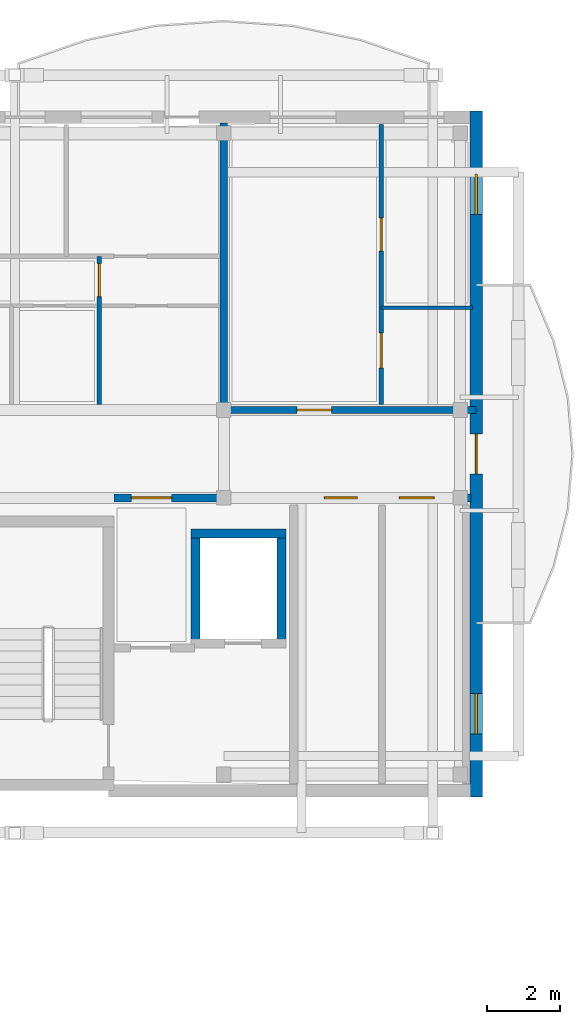
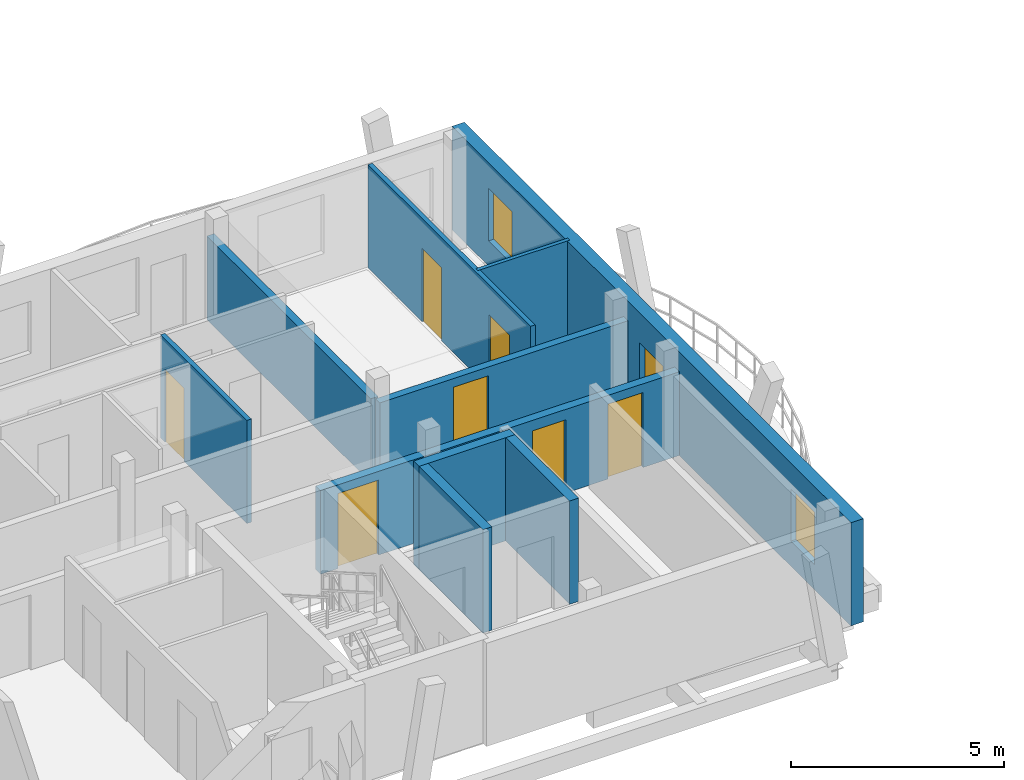
# One storey, part 22 of 41: 10 walls, 8 doors, 2 windows, 10 openings.
"""IFC4 building model written with IfcOpenShell, lengths in metres."""

from ifc_helpers import new_model, si_unit, direction, frame, frame_2d, origin, origin_with_axes, place, context, subcontext, project, spatial, rectangle, extrude, material, layer, layer_set, type_object, element, fill, save


model = new_model("IFC4")

# Units and contexts
model_context = context("Model", 3, precision=1e-05, world=origin(), true_north=direction((0.0, 1.0)))
body_context = subcontext(model_context, "Body", "Model", "MODEL_VIEW")
ifc_project = project(units=[si_unit("LENGTHUNIT", "METRE"), si_unit("AREAUNIT", "SQUARE_METRE"), si_unit("VOLUMEUNIT", "CUBIC_METRE"), si_unit("PLANEANGLEUNIT", "RADIAN"), si_unit("MASSUNIT", "GRAM", prefix="KILO")], contexts=[model_context])

# Site, building, storey
site_placement = place(None, origin())
site = spatial("IfcSite", under=ifc_project, at=site_placement, CompositionType="ELEMENT")
building_placement = place(site_placement, origin())
building = spatial("IfcBuilding", under=site, at=building_placement, Name="Zavelmont Quarter", CompositionType="ELEMENT")
storey_placement = place(building_placement, frame((0.0, 0.0, 27.199951171875)))
storey = spatial("IfcBuildingStorey", under=building, at=storey_placement, Name="L08", CompositionType="ELEMENT", Elevation=27.199951171875)

# Wall, openings, door, windows
ifc_material_1 = material(Name="Natural Belgian limestone", Category="masonry")
ifc_layer_1 = layer(ifc_material_1, 0.340087890625)
ifc_layer_set_1 = layer_set([ifc_layer_1], Name="Natural Belgian limestone")
wall_type_1 = type_object("IfcWallType", Name="EW03", PredefinedType="STANDARD", material=ifc_layer_set_1)
wall_1_placement = place(storey_placement, frame((41.39990234375, 97.429931640625, 0.0), z_axis=(0.0, 0.0, 1.0), x_axis=(0.0, 1.0, 0.0)))
wall_1 = element("IfcWall", 1, at=wall_1_placement, inside=storey, type_object=wall_type_1, Name="L08 exterior limestone wall EW03", PredefinedType="STANDARD", context=body_context, shape_type="SweptSolid", body=[
    extrude(rectangle(XDim=18.739990234375, YDim=0.340087890625, at=frame_2d((9.3701171875, 0.0))), origin(), (0.0, 0.0, 1.0), 2.9599609375),
])
opening_1_placement = place(wall_1_placement, frame((8.820068359375, 0.0, 0.0)))
opening_1 = element("IfcOpeningElement", 2, at=opening_1_placement, cuts=wall_1, Name="Opening DR04B", PredefinedType="OPENING", context=body_context, shape_type="SweptSolid", body=[
    extrude(rectangle(XDim=1.10009765625, YDim=2.10009765625, at=frame_2d((0.550048828125, 1.050048828125))), frame((0.0, 0.18212890625, 0.0), z_axis=(0.0, -1.0, 0.0), x_axis=(1.0, 0.0, 0.0)), (0.0, 0.0, 1.0), 0.364013671875),
])
opening_2_placement = place(wall_1_placement, frame((1.719970703125, 0.0, 0.719970703125)))
opening_2 = element("IfcOpeningElement", 3, at=opening_2_placement, cuts=wall_1, Name="Opening WN09", PredefinedType="OPENING", context=body_context, shape_type="SweptSolid", body=[
    extrude(rectangle(XDim=1.10009765625, YDim=1.5, at=frame_2d((0.550048828125, 0.75))), frame((0.0, 0.18212890625, 0.0), z_axis=(0.0, -1.0, 0.0), x_axis=(1.0, 0.0, 0.0)), (0.0, 0.0, 1.0), 0.364013671875),
])
opening_3_placement = place(wall_1_placement, frame((15.919921875, 0.0, 0.719970703125)))
opening_3 = element("IfcOpeningElement", 4, at=opening_3_placement, cuts=wall_1, Name="Opening WN09", PredefinedType="OPENING", context=body_context, shape_type="SweptSolid", body=[
    extrude(rectangle(XDim=1.10009765625, YDim=1.5, at=frame_2d((0.550048828125, 0.75))), frame((0.0, 0.18212890625, 0.0), z_axis=(0.0, -1.0, 0.0), x_axis=(1.0, 0.0, 0.0)), (0.0, 0.0, 1.0), 0.364013671875),
])
ifc_material_2 = material(Name="Thermally broken aluminium and double safety glass", Category="aluminium")
door_type_1 = type_object("IfcDoorType", Name="DR04B", OperationType="NOTDEFINED", PredefinedType="DOOR", material=ifc_material_2)
door_1_placement = place(opening_1_placement, origin_with_axes())
door_1 = element("IfcDoor", 5, at=door_1_placement, inside=storey, type_object=door_type_1, Name="Block B L08 terrace or vase balcony door", OperationType="SINGLE_SWING_LEFT", OverallHeight=2.10009765625, OverallWidth=1.10009765625, PredefinedType="DOOR", context=body_context, shape_type="SweptSolid", body=[
    extrude(rectangle(XDim=1.10009765625, YDim=2.10009765625, at=frame_2d((0.550048828125, 1.050048828125))), frame((0.0, 0.02490234375, 0.0), z_axis=(0.0, -1.0, 0.0), x_axis=(1.0, 0.0, 0.0)), (0.0, 0.0, 1.0), 0.050048828125),
])
fill(opening_1, door_1)
ifc_material_3 = material(Name="Double low-E insulated glazing in thermally broken aluminium frame", Category="aluminium")
window_type = type_object("IfcWindowType", Name="WN09", PartitioningType="SINGLE_PANEL", PredefinedType="WINDOW", material=ifc_material_3)
window_1_placement = place(opening_2_placement, origin_with_axes())
window_1 = element("IfcWindow", 6, at=window_1_placement, inside=storey, type_object=window_type, Name="L08 window WN09", OverallHeight=1.5, OverallWidth=1.10009765625, PartitioningType="SINGLE_PANEL", PredefinedType="WINDOW", context=body_context, shape_type="SweptSolid", body=[
    extrude(rectangle(XDim=1.10009765625, YDim=1.5, at=frame_2d((0.550048828125, 0.75))), frame((0.0, 0.030029296875, 0.0), z_axis=(0.0, -1.0, 0.0), x_axis=(1.0, 0.0, 0.0)), (0.0, 0.0, 1.0), 0.06005859375),
])
fill(opening_2, window_1)
window_2_placement = place(opening_3_placement, origin_with_axes())
window_2 = element("IfcWindow", 7, at=window_2_placement, inside=storey, type_object=window_type, Name="L08 window WN09", OverallHeight=1.5, OverallWidth=1.10009765625, PartitioningType="SINGLE_PANEL", PredefinedType="WINDOW", context=body_context, shape_type="SweptSolid", body=[
    extrude(rectangle(XDim=1.10009765625, YDim=1.5, at=frame_2d((0.550048828125, 0.75))), frame((0.0, 0.030029296875, 0.0), z_axis=(0.0, -1.0, 0.0), x_axis=(1.0, 0.0, 0.0)), (0.0, 0.0, 1.0), 0.06005859375),
])
fill(opening_3, window_2)

# Wall
ifc_material_4 = material(Name="Calcium-silicate blockwork and acoustic plaster", Category="masonry")
ifc_layer_2 = layer(ifc_material_4, 0.199951171875)
ifc_layer_set_2 = layer_set([ifc_layer_2], Name="Calcium-silicate blockwork and acoustic plaster")
wall_type_2 = type_object("IfcWallType", Name="IW01", PredefinedType="PARTITIONING", material=ifc_layer_set_2)
wall_2_placement = place(storey_placement, frame((34.5, 108.14990234375, 0.0), z_axis=(0.0, 0.0, 1.0), x_axis=(0.0, 1.0, 0.0)))
element("IfcWall", 8, at=wall_2_placement, inside=storey, type_object=wall_type_2, Name="L08 Inter-dwelling compartment wall IW01", PredefinedType="PARTITIONING", context=body_context, shape_type="SweptSolid", body=[
    extrude(rectangle(XDim=7.7001953125, YDim=0.199951171875, at=frame_2d((3.85009765625, 0.0))), origin(), (0.0, 0.0, 1.0), 2.400146484375),
])

# Wall, opening, door
wall_3_placement = place(storey_placement, frame((34.5, 108.0, 0.0), z_axis=(0.0, 0.0, 1.0), x_axis=(1.0, 0.0, 0.0)))
wall_3 = element("IfcWall", 9, at=wall_3_placement, inside=storey, type_object=wall_type_2, Name="L08 Corridor compartment wall IW01", PredefinedType="PARTITIONING", context=body_context, shape_type="SweptSolid", body=[
    extrude(rectangle(XDim=6.89990234375, YDim=0.199951171875, at=frame_2d((3.449951171875, 0.0))), origin(), (0.0, 0.0, 1.0), 2.400146484375),
])
opening_4_placement = place(wall_3_placement, frame((2.0, 0.0, 0.0)))
opening_4 = element("IfcOpeningElement", 10, at=opening_4_placement, cuts=wall_3, Name="Opening DR02", PredefinedType="OPENING", context=body_context, shape_type="SweptSolid", body=[
    extrude(rectangle(XDim=0.949951171875, YDim=2.14990234375, at=frame_2d((0.47509765625, 1.074951171875))), frame((0.0, 0.11181640625, 0.0), z_axis=(0.0, -1.0, 0.0), x_axis=(1.0, 0.0, 0.0)), (0.0, 0.0, 1.0), 0.223876953125),
])
ifc_material_5 = material(Name="Solid-core oak fire leaf in steel frame", Category="steel")
door_type_2 = type_object("IfcDoorType", Name="DR02", OperationType="NOTDEFINED", PredefinedType="DOOR", material=ifc_material_5)
door_2_placement = place(opening_4_placement, origin_with_axes())
door_2 = element("IfcDoor", 11, at=door_2_placement, inside=storey, type_object=door_type_2, Name="L08 door DR02", OperationType="SINGLE_SWING_LEFT", OverallHeight=2.14990234375, OverallWidth=0.949951171875, PredefinedType="DOOR", context=body_context, shape_type="SweptSolid", body=[
    extrude(rectangle(XDim=0.949951171875, YDim=2.14990234375, at=frame_2d((0.47509765625, 1.074951171875))), frame((0.0, 0.02490234375, 0.0), z_axis=(0.0, -1.0, 0.0), x_axis=(1.0, 0.0, 0.0)), (0.0, 0.0, 1.0), 0.050048828125),
])
fill(opening_4, door_2)

# Wall, openings, doors
ifc_material_6 = material(Name="Reinforced masonry fire compartment wall", Category="masonry")
ifc_layer_3 = layer(ifc_material_6, 0.22509765625)
ifc_layer_set_3 = layer_set([ifc_layer_3], Name="Reinforced masonry fire compartment wall")
wall_type_3 = type_object("IfcWallType", Name="IW02", PredefinedType="PARTITIONING", material=ifc_layer_set_3)
wall_4_placement = place(storey_placement, frame((31.5, 105.60009765625, 0.0), z_axis=(0.0, 0.0, 1.0), x_axis=(1.0, 0.0, 0.0)))
wall_4 = element("IfcWall", 12, at=wall_4_placement, inside=storey, type_object=wall_type_3, Name="L08 Core corridor fire wall IW02", PredefinedType="PARTITIONING", context=body_context, shape_type="SweptSolid", body=[
    extrude(rectangle(XDim=9.75, YDim=0.22509765625, at=frame_2d((4.875, 0.0))), origin(), (0.0, 0.0, 1.0), 2.400146484375),
])
opening_5_placement = place(wall_4_placement, frame((0.47509765625, 0.0, 0.0)))
opening_5 = element("IfcOpeningElement", 13, at=opening_5_placement, cuts=wall_4, Name="Opening DR10", PredefinedType="OPENING", context=body_context, shape_type="SweptSolid", body=[
    extrude(rectangle(XDim=1.10009765625, YDim=2.14990234375, at=frame_2d((0.550048828125, 1.074951171875))), frame((0.0, 0.12451171875, 0.0), z_axis=(0.0, -1.0, 0.0), x_axis=(1.0, 0.0, 0.0)), (0.0, 0.0, 1.0), 0.2490234375),
])
opening_6_placement = place(wall_4_placement, frame((5.75, 0.0, 0.0)))
opening_6 = element("IfcOpeningElement", 14, at=opening_6_placement, cuts=wall_4, Name="Opening DR11", PredefinedType="OPENING", context=body_context, shape_type="SweptSolid", body=[
    extrude(rectangle(XDim=0.89990234375, YDim=2.10009765625, at=frame_2d((0.449951171875, 1.050048828125))), frame((0.0, 0.12451171875, 0.0), z_axis=(0.0, -1.0, 0.0), x_axis=(1.0, 0.0, 0.0)), (0.0, 0.0, 1.0), 0.2490234375),
])
opening_7_placement = place(wall_4_placement, frame((7.800048828125, 0.0, 0.0)))
opening_7 = element("IfcOpeningElement", 15, at=opening_7_placement, cuts=wall_4, Name="Opening DR02", PredefinedType="OPENING", context=body_context, shape_type="SweptSolid", body=[
    extrude(rectangle(XDim=0.949951171875, YDim=2.14990234375, at=frame_2d((0.47509765625, 1.074951171875))), frame((0.0, 0.12451171875, 0.0), z_axis=(0.0, -1.0, 0.0), x_axis=(1.0, 0.0, 0.0)), (0.0, 0.0, 1.0), 0.2490234375),
])
door_3_placement = place(opening_7_placement, origin_with_axes())
door_3 = element("IfcDoor", 16, at=door_3_placement, inside=storey, type_object=door_type_2, Name="Auxiliary store corridor door", OperationType="SINGLE_SWING_RIGHT", OverallHeight=2.14990234375, OverallWidth=0.949951171875, PredefinedType="DOOR", context=body_context, shape_type="SweptSolid", body=[
    extrude(rectangle(XDim=0.949951171875, YDim=2.14990234375, at=frame_2d((0.47509765625, 1.074951171875))), frame((0.0, 0.02490234375, 0.0), z_axis=(0.0, -1.0, 0.0), x_axis=(1.0, 0.0, 0.0)), (0.0, 0.0, 1.0), 0.050048828125),
])
fill(opening_7, door_3)
ifc_material_7 = material(Name="Painted steel lobby fire door", Category="steel")
door_type_3 = type_object("IfcDoorType", Name="DR10", OperationType="NOTDEFINED", PredefinedType="DOOR", material=ifc_material_7)
door_4_placement = place(opening_5_placement, frame((1.10009765625, 0.0, 0.0), z_axis=(0.0, 0.0, 1.0), x_axis=(-1.0, 0.0, 0.0)))
door_4 = element("IfcDoor", 17, at=door_4_placement, inside=storey, type_object=door_type_3, Name="Core vestibule fire door", OperationType="SINGLE_SWING_RIGHT", OverallHeight=2.14990234375, OverallWidth=1.10009765625, PredefinedType="DOOR", context=body_context, shape_type="SweptSolid", body=[
    extrude(rectangle(XDim=1.10009765625, YDim=2.14990234375, at=frame_2d((0.550048828125, 1.074951171875))), frame((0.0, 0.02490234375, 0.0), z_axis=(0.0, -1.0, 0.0), x_axis=(1.0, 0.0, 0.0)), (0.0, 0.0, 1.0), 0.050048828125),
])
fill(opening_5, door_4)
ifc_material_8 = material(Name="Painted steel service-riser fire door", Category="steel")
door_type_4 = type_object("IfcDoorType", Name="DR11", OperationType="NOTDEFINED", PredefinedType="DOOR", material=ifc_material_8)
door_5_placement = place(opening_6_placement, origin_with_axes())
door_5 = element("IfcDoor", 18, at=door_5_placement, inside=storey, type_object=door_type_4, Name="Service riser fire door", OperationType="SINGLE_SWING_LEFT", OverallHeight=2.10009765625, OverallWidth=0.89990234375, PredefinedType="DOOR", context=body_context, shape_type="SweptSolid", body=[
    extrude(rectangle(XDim=0.89990234375, YDim=2.10009765625, at=frame_2d((0.449951171875, 1.050048828125))), frame((0.0, 0.02490234375, 0.0), z_axis=(0.0, -1.0, 0.0), x_axis=(1.0, 0.0, 0.0)), (0.0, 0.0, 1.0), 0.050048828125),
])
fill(opening_6, door_5)

# Wall, opening, door
ifc_material_9 = material(Name="Double gypsum board on acoustic steel stud", Category="steel")
ifc_layer_4 = layer(ifc_material_9, 0.125)
ifc_layer_set_4 = layer_set([ifc_layer_4], Name="Double gypsum board on acoustic steel stud")
wall_type_4 = type_object("IfcWallType", Name="IW03", PredefinedType="PARTITIONING", material=ifc_layer_set_4)
wall_5_placement = place(storey_placement, frame((31.10009765625, 108.14990234375, 0.0), z_axis=(0.0, 0.0, 1.0), x_axis=(0.0, 1.0, 0.0)))
wall_5 = element("IfcWall", 19, at=wall_5_placement, inside=storey, type_object=wall_type_4, Name="L08 Partition IW03", PredefinedType="PARTITIONING", context=body_context, shape_type="SweptSolid", body=[
    extrude(rectangle(XDim=4.050048828125, YDim=0.125, at=frame_2d((2.02490234375, 0.0))), origin(), (0.0, 0.0, 1.0), 2.9599609375),
])
opening_8_placement = place(wall_5_placement, frame((2.949951171875, 0.0, 0.0)))
opening_8 = element("IfcOpeningElement", 20, at=opening_8_placement, cuts=wall_5, Name="Opening DR05", PredefinedType="OPENING", context=body_context, shape_type="SweptSolid", body=[
    extrude(rectangle(XDim=0.89990234375, YDim=2.10009765625, at=frame_2d((0.449951171875, 1.050048828125))), frame((0.0, 0.074462890625, 0.0), z_axis=(0.0, -1.0, 0.0), x_axis=(1.0, 0.0, 0.0)), (0.0, 0.0, 1.0), 0.14892578125),
])
ifc_material_10 = material(Name="Engineered oak flush interior door")
door_type_5 = type_object("IfcDoorType", Name="DR05", OperationType="NOTDEFINED", PredefinedType="DOOR", material=ifc_material_10)
door_6_placement = place(opening_8_placement, frame((0.89990234375, 0.0, 0.0), z_axis=(0.0, 0.0, 1.0), x_axis=(-1.0, 0.0, 0.0)))
door_6 = element("IfcDoor", 21, at=door_6_placement, inside=storey, type_object=door_type_5, Name="L08 door DR05", OperationType="SINGLE_SWING_LEFT", OverallHeight=2.10009765625, OverallWidth=0.89990234375, PredefinedType="DOOR", context=body_context, shape_type="SweptSolid", body=[
    extrude(rectangle(XDim=0.89990234375, YDim=2.10009765625, at=frame_2d((0.449951171875, 1.050048828125))), frame((0.0, 0.02490234375, 0.0), z_axis=(0.0, -1.0, 0.0), x_axis=(1.0, 0.0, 0.0)), (0.0, 0.0, 1.0), 0.050048828125),
])
fill(opening_8, door_6)

# Wall, openings, doors
wall_6_placement = place(storey_placement, frame((38.800048828125, 108.14990234375, 0.0), z_axis=(0.0, 0.0, 1.0), x_axis=(0.0, 1.0, 0.0)))
wall_6 = element("IfcWall", 22, at=wall_6_placement, inside=storey, type_object=wall_type_4, Name="L08 Partition IW03", PredefinedType="PARTITIONING", context=body_context, shape_type="SweptSolid", body=[
    extrude(rectangle(XDim=7.650146484375, YDim=0.125, at=frame_2d((3.8251953125, 0.0))), origin(), (0.0, 0.0, 1.0), 2.9599609375),
])
opening_9_placement = place(wall_6_placement, frame((1.0, 0.0, 0.0)))
opening_9 = element("IfcOpeningElement", 23, at=opening_9_placement, cuts=wall_6, Name="Opening DR17", PredefinedType="OPENING", context=body_context, shape_type="SweptSolid", body=[
    extrude(rectangle(XDim=0.949951171875, YDim=2.10009765625, at=frame_2d((0.47509765625, 1.050048828125))), frame((0.0, 0.074462890625, 0.0), z_axis=(0.0, -1.0, 0.0), x_axis=(1.0, 0.0, 0.0)), (0.0, 0.0, 1.0), 0.14892578125),
])
opening_10_placement = place(wall_6_placement, frame((4.199951171875, 0.0, 0.0)))
opening_10 = element("IfcOpeningElement", 24, at=opening_10_placement, cuts=wall_6, Name="Opening DR05", PredefinedType="OPENING", context=body_context, shape_type="SweptSolid", body=[
    extrude(rectangle(XDim=0.89990234375, YDim=2.10009765625, at=frame_2d((0.449951171875, 1.050048828125))), frame((0.0, 0.074462890625, 0.0), z_axis=(0.0, -1.0, 0.0), x_axis=(1.0, 0.0, 0.0)), (0.0, 0.0, 1.0), 0.14892578125),
])
door_7_placement = place(opening_10_placement, frame((0.89990234375, 0.0, 0.0), z_axis=(0.0, 0.0, 1.0), x_axis=(-1.0, 0.0, 0.0)))
door_7 = element("IfcDoor", 25, at=door_7_placement, inside=storey, type_object=door_type_5, Name="L08 door DR05", OperationType="SINGLE_SWING_RIGHT", OverallHeight=2.10009765625, OverallWidth=0.89990234375, PredefinedType="DOOR", context=body_context, shape_type="SweptSolid", body=[
    extrude(rectangle(XDim=0.89990234375, YDim=2.10009765625, at=frame_2d((0.449951171875, 1.050048828125))), frame((0.0, 0.02490234375, 0.0), z_axis=(0.0, -1.0, 0.0), x_axis=(1.0, 0.0, 0.0)), (0.0, 0.0, 1.0), 0.050048828125),
])
fill(opening_10, door_7)
ifc_material_11 = material(Name="Accessible washroom flush door")
door_type_6 = type_object("IfcDoorType", Name="DR17", OperationType="NOTDEFINED", PredefinedType="DOOR", material=ifc_material_11)
door_8_placement = place(opening_9_placement, origin_with_axes())
door_8 = element("IfcDoor", 26, at=door_8_placement, inside=storey, type_object=door_type_6, Name="L08 door DR17", OperationType="SINGLE_SWING_LEFT", OverallHeight=2.10009765625, OverallWidth=0.949951171875, PredefinedType="DOOR", context=body_context, shape_type="SweptSolid", body=[
    extrude(rectangle(XDim=0.949951171875, YDim=2.10009765625, at=frame_2d((0.47509765625, 1.050048828125))), frame((0.0, 0.02490234375, 0.0), z_axis=(0.0, -1.0, 0.0), x_axis=(1.0, 0.0, 0.0)), (0.0, 0.0, 1.0), 0.050048828125),
])
fill(opening_9, door_8)

# Walls
ifc_material_12 = material(Name="Moisture-resistant gypsum board on steel stud", Category="steel")
ifc_layer_5 = layer(ifc_material_12, 0.10009765625)
ifc_layer_set_5 = layer_set([ifc_layer_5], Name="Moisture-resistant gypsum board on steel stud")
wall_type_5 = type_object("IfcWallType", Name="IW04", PredefinedType="PARTITIONING", material=ifc_layer_set_5)
wall_7_placement = place(storey_placement, frame((38.800048828125, 110.800048828125, 0.0), z_axis=(0.0, 0.0, 1.0), x_axis=(1.0, 0.0, 0.0)))
element("IfcWall", 27, at=wall_7_placement, inside=storey, type_object=wall_type_5, Name="L08 Partition IW04", PredefinedType="PARTITIONING", context=body_context, shape_type="SweptSolid", body=[
    extrude(rectangle(XDim=2.5, YDim=0.10009765625, at=frame_2d((1.25, 0.0))), origin(), (0.0, 0.0, 1.0), 2.9599609375),
])
ifc_material_13 = material(Name="Concrete C40/50", Category="concrete")
ifc_layer_6 = layer(ifc_material_13, 0.25)
ifc_layer_set_6 = layer_set([ifc_layer_6], Name="Concrete C40/50")
wall_type_6 = type_object("IfcWallType", Name="SW02", PredefinedType="SHEAR", material=ifc_layer_set_6)
wall_8_placement = place(storey_placement, frame((33.60009765625, 104.625, 0.0), z_axis=(0.0, 0.0, 1.0), x_axis=(1.0, 0.0, 0.0)))
element("IfcWall", 28, at=wall_8_placement, inside=storey, type_object=wall_type_6, Name="L08 Lift LF04 back shaft wall SW02", PredefinedType="SHEAR", context=body_context, shape_type="SweptSolid", body=[
    extrude(rectangle(XDim=2.599853515625, YDim=0.25, at=frame_2d((1.2998046875, 0.0))), origin(), (0.0, 0.0, 1.0), 2.9599609375),
])
for number, where, z_axis, x_axis, name in (
    (29, (33.72509765625, 101.5, 0.0), (0.0, 0.0, 1.0), (0.0, 1.0, 0.0), "L08 Lift LF04 west shaft wall SW02"),
    (30, (36.074951171875, 101.5, 0.0), (0.0, 0.0, 1.0), (0.0, 1.0, 0.0), "L08 Lift LF04 east shaft wall SW02"),
):
    element("IfcWall", number, at=place(storey_placement, frame(where, z_axis=z_axis, x_axis=x_axis)), inside=storey, type_object=wall_type_6, Name=name, PredefinedType="SHEAR", context=body_context, shape_type="SweptSolid", body=[
        extrude(rectangle(XDim=3.25, YDim=0.25, at=frame_2d((1.625, 0.0))), origin(), (0.0, 0.0, 1.0), 2.9599609375),
    ])

save(model, "model.ifc")
